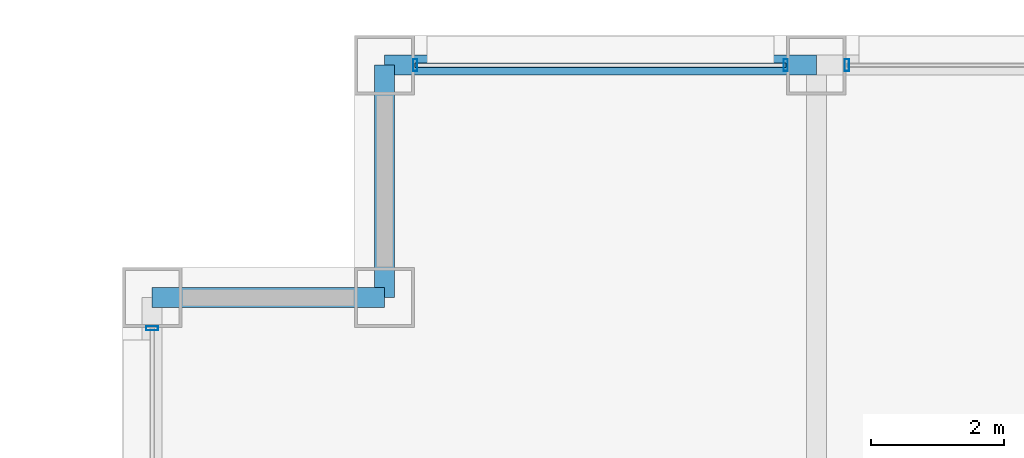
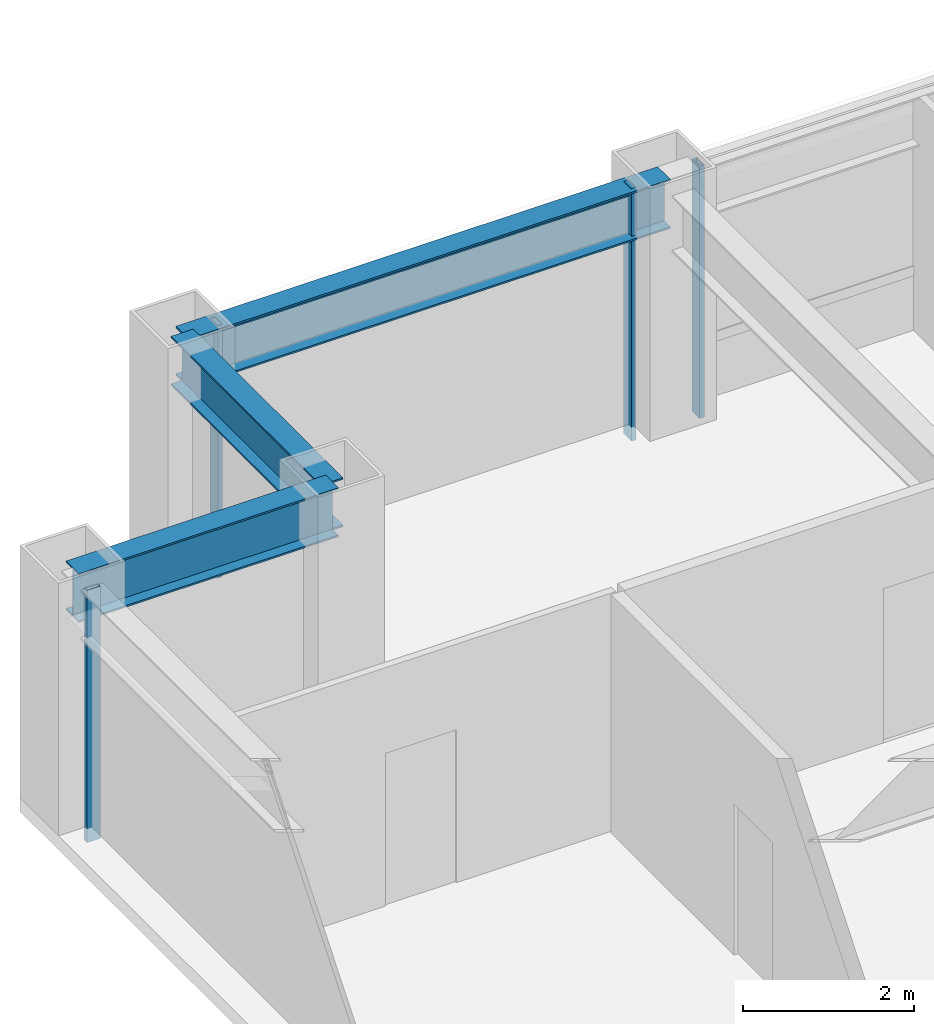
# One storey, part 18 of 29: 5 members, 3 beams, 3 elements without a shape of their own.
"""IFC4 building model written with IfcOpenShell, lengths in metres."""

from ifc_helpers import new_model, si_unit, direction, frame, origin, origin_2d, place, context, subcontext, project, spatial, hollow_rectangle, i_section, extrude, material, layer, layer_set, material_profile, profile_set, type_object, element, aggregate, save


model = new_model("IFC4")

# Units and contexts
model_context = context("Model", 3, precision=1e-05, world=origin(), true_north=direction((0.0, 1.0)))
body_context = subcontext(model_context, "Body", "Model", "MODEL_VIEW")
ifc_project = project(units=[si_unit("LENGTHUNIT", "METRE"), si_unit("AREAUNIT", "SQUARE_METRE"), si_unit("VOLUMEUNIT", "CUBIC_METRE"), si_unit("PLANEANGLEUNIT", "RADIAN"), si_unit("MASSUNIT", "GRAM", prefix="KILO")], contexts=[model_context])

# Site, building, storey
site_placement = place(None, origin())
site = spatial("IfcSite", under=ifc_project, at=site_placement, CompositionType="ELEMENT")
building_placement = place(site_placement, origin())
building = spatial("IfcBuilding", under=site, at=building_placement, Name="Brelmoor Portico Tower", CompositionType="ELEMENT")
storey_placement = place(building_placement, frame((0.0, 0.0, 52.800048828125)))
storey = spatial("IfcBuildingStorey", under=building, at=storey_placement, Name="L13", CompositionType="ELEMENT", Elevation=52.800048828125)

# Beams
ifc_material_1 = material(Name="Steel Q355B", Category="steel")
ifc_material_profile_1 = material_profile(ifc_material_1, i_section(OverallWidth=0.300048828125, OverallDepth=0.699951171875, WebThickness=0.012939453125, FlangeThickness=0.02392578125, at=origin_2d()), Name="HN 700x300x13x24")
ifc_profile_set_1 = profile_set([ifc_material_profile_1], Name="Steel Q355B")
beam_type = type_object("IfcBeamType", Name="BM-SP-700", PredefinedType="SPANDREL", material=ifc_profile_set_1)
beam_1_placement = place(storey_placement, frame((-24.550048828125, 18.050048828125, 3.050048828125), z_axis=(1.0, 0.0, 0.0), x_axis=(0.0, 1.0, 0.0)))
element("IfcBeam", 1, at=beam_1_placement, inside=storey, type_object=beam_type, Name="L13 Perimeter Spandrel Beam SP-08", PredefinedType="SPANDREL", context=body_context, shape_type="SweptSolid", body=[
    extrude(i_section(OverallWidth=0.300048828125, OverallDepth=0.699951171875, WebThickness=0.012939453125, FlangeThickness=0.02392578125, at=origin_2d()), origin(), (0.0, 0.0, 1.0), 3.5),
])
beam_2_placement = place(storey_placement, frame((-21.050048828125, 21.550048828125, 3.050048828125), z_axis=(1.0, 0.0, 0.0), x_axis=(0.0, 1.0, 0.0)))
element("IfcBeam", 2, at=beam_2_placement, inside=storey, type_object=beam_type, Name="L13 Perimeter Spandrel Beam SP-10", PredefinedType="SPANDREL", context=body_context, shape_type="SweptSolid", body=[
    extrude(i_section(OverallWidth=0.300048828125, OverallDepth=0.699951171875, WebThickness=0.012939453125, FlangeThickness=0.02392578125, at=origin_2d()), origin(), (0.0, 0.0, 1.0), 6.5),
])
beam_3_placement = place(storey_placement, frame((-21.050048828125, 18.050048828125, 3.050048828125), z_axis=(0.0, 1.0, 0.0), x_axis=(-1.0, 0.0, 0.0)))
element("IfcBeam", 3, at=beam_3_placement, inside=storey, type_object=beam_type, Name="L13 Perimeter Spandrel Beam SP-19", PredefinedType="SPANDREL", context=body_context, shape_type="SweptSolid", body=[
    extrude(i_section(OverallWidth=0.300048828125, OverallDepth=0.699951171875, WebThickness=0.012939453125, FlangeThickness=0.02392578125, at=origin_2d()), origin(), (0.0, 0.0, 1.0), 3.5),
])

# Curtain wall, members
ifc_material_2 = material(Name="Anodised Aluminium Alloy 6063-T6", Category="aluminium")
ifc_layer_1 = layer(ifc_material_2, 0.179931640625)
ifc_layer_set_1 = layer_set([ifc_layer_1], Name="Anodised Aluminium Alloy 6063-T6")
curtain_wall_type_1 = type_object("IfcCurtainWallType", Name="CW-TOWER-Z1-XB", PredefinedType="NOTDEFINED", material=ifc_layer_set_1)
curtain_wall_1_placement = place(storey_placement, origin())
curtain_wall_1 = element("IfcCurtainWall", 4, at=curtain_wall_1_placement, inside=storey, type_object=curtain_wall_type_1, Name="L13 Curtain Wall CW-L13-02-1", PredefinedType="NOTDEFINED")
ifc_material_profile_2 = material_profile(ifc_material_2, hollow_rectangle(XDim=0.06494140625, YDim=0.179931640625, WallThickness=0.00390625, at=origin_2d()), Name="ALU MULLION 65x180")
ifc_profile_set_2 = profile_set([ifc_material_profile_2], Name="Anodised Aluminium Alloy 6063-T6")
member_type_1 = type_object("IfcMemberType", Name="MB-CW-MULL-180", PredefinedType="MULLION", material=ifc_profile_set_2)
member_1_placement = place(storey_placement, frame((-20.590087890625, 21.550048828125, -0.199951171875), z_axis=(0.0, 0.0, 1.0), x_axis=(1.0, 0.0, 0.0)))
member_1 = element("IfcMember", 5, at=member_1_placement, type_object=member_type_1, Name="CW-L13-02-1 Mullion 00", PredefinedType="MULLION", context=body_context, shape_type="SweptSolid", body=[
    extrude(hollow_rectangle(XDim=0.06494140625, YDim=0.179931640625, WallThickness=0.00390625, at=origin_2d()), origin(), (0.0, 0.0, 1.0), 3.599853515625),
])
member_2_placement = place(storey_placement, frame((-15.010009765625, 21.550048828125, -0.199951171875), z_axis=(0.0, 0.0, 1.0), x_axis=(1.0, 0.0, 0.0)))
member_2 = element("IfcMember", 6, at=member_2_placement, type_object=member_type_1, Name="CW-L13-02-1 Mullion 01", PredefinedType="MULLION", context=body_context, shape_type="SweptSolid", body=[
    extrude(hollow_rectangle(XDim=0.06494140625, YDim=0.179931640625, WallThickness=0.00390625, at=origin_2d()), origin(), (0.0, 0.0, 1.0), 3.599853515625),
])

# Curtain wall, member
ifc_layer_2 = layer(ifc_material_2, 0.179931640625)
ifc_layer_set_2 = layer_set([ifc_layer_2], Name="Anodised Aluminium Alloy 6063-T6")
curtain_wall_type_2 = type_object("IfcCurtainWallType", Name="CW-TOWER-Z1", PredefinedType="NOTDEFINED", material=ifc_layer_set_2)
curtain_wall_2_placement = place(storey_placement, origin())
curtain_wall_2 = element("IfcCurtainWall", 7, at=curtain_wall_2_placement, inside=storey, type_object=curtain_wall_type_2, Name="L13 Curtain Wall CW-L13-02-2", PredefinedType="NOTDEFINED")
member_3_placement = place(storey_placement, frame((-14.090087890625, 21.550048828125, -0.199951171875), z_axis=(0.0, 0.0, 1.0), x_axis=(1.0, 0.0, 0.0)))
member_3 = element("IfcMember", 8, at=member_3_placement, type_object=member_type_1, Name="CW-L13-02-2 Mullion 00", PredefinedType="MULLION", context=body_context, shape_type="SweptSolid", body=[
    extrude(hollow_rectangle(XDim=0.06494140625, YDim=0.179931640625, WallThickness=0.00390625, at=origin_2d()), origin(), (0.0, 0.0, 1.0), 3.599853515625),
])
aggregate(curtain_wall_2, [member_3])

curtain_wall_3_placement = place(storey_placement, origin())
curtain_wall_3 = element("IfcCurtainWall", 9, at=curtain_wall_3_placement, inside=storey, type_object=curtain_wall_type_1, Name="L13 Curtain Wall CW-L13-03-3", PredefinedType="NOTDEFINED")
member_4_placement = place(storey_placement, frame((-24.550048828125, 17.590087890625, -0.199951171875), z_axis=(0.0, 0.0, 1.0), x_axis=(0.0, 1.0, 0.0)))
member_4 = element("IfcMember", 10, at=member_4_placement, type_object=member_type_1, Name="CW-L13-03-3 Mullion 01", PredefinedType="MULLION", context=body_context, shape_type="SweptSolid", body=[
    extrude(hollow_rectangle(XDim=0.06494140625, YDim=0.179931640625, WallThickness=0.00390625, at=origin_2d()), origin(), (0.0, 0.0, 1.0), 3.599853515625),
])
aggregate(curtain_wall_3, [member_4])

# Member
ifc_material_profile_3 = material_profile(ifc_material_2, hollow_rectangle(XDim=0.06494140625, YDim=0.139892578125, WallThickness=0.00390625, at=origin_2d()), Name="ALU TRANSOM 65x140")
ifc_profile_set_3 = profile_set([ifc_material_profile_3], Name="Anodised Aluminium Alloy 6063-T6")
member_type_2 = type_object("IfcMemberType", Name="MB-CW-TRAN-140", PredefinedType="USERDEFINED", material=ifc_profile_set_3)
member_5_placement = place(storey_placement, frame((-20.590087890625, 21.550048828125, 3.329833984375), z_axis=(1.0, 0.0, 0.0), x_axis=(0.0, 1.0, 0.0)))
member_5 = element("IfcMember", 11, at=member_5_placement, type_object=member_type_2, Name="CW-L13-02-1 Transom 1-00", ObjectType="TRANSOM", PredefinedType="USERDEFINED", context=body_context, shape_type="SweptSolid", body=[
    extrude(hollow_rectangle(XDim=0.06494140625, YDim=0.139892578125, WallThickness=0.00390625, at=origin_2d()), origin(), (0.0, 0.0, 1.0), 5.580078125),
])

aggregate(curtain_wall_1, [member_1, member_2, member_5])

save(model, "model.ifc")
